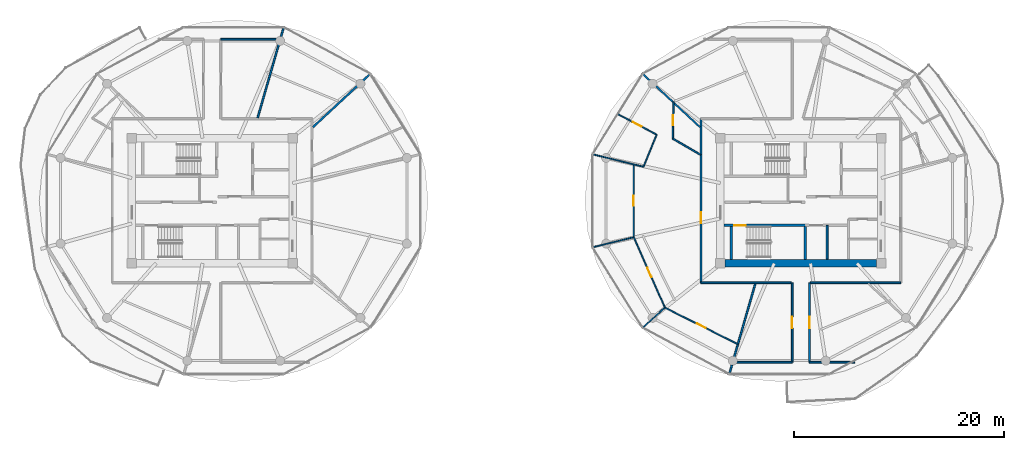
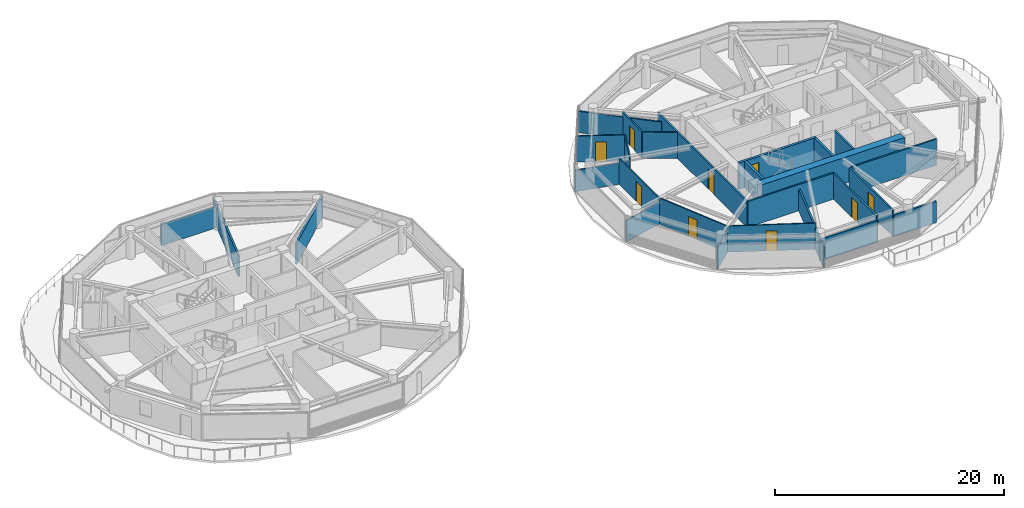
# One storey, part 15 of 23: 27 walls, 9 doors, 9 openings.
"""IFC4 building model written with IfcOpenShell, lengths in metres."""

from ifc_helpers import new_model, si_unit, direction, frame, frame_2d, origin, place, context, subcontext, project, spatial, rectangle, extrude, source, transform, mapped, material, layer, layer_set, type_object, type_shapes, element, fill, save


model = new_model("IFC4")

# Units and contexts
model_context = context("Model", 3, precision=1e-05, world=origin(), true_north=direction((0.0, 1.0)))
body_context = subcontext(model_context, "Body", "Model", "MODEL_VIEW")
ifc_project = project(units=[si_unit("LENGTHUNIT", "METRE"), si_unit("AREAUNIT", "SQUARE_METRE"), si_unit("VOLUMEUNIT", "CUBIC_METRE"), si_unit("PLANEANGLEUNIT", "RADIAN"), si_unit("MASSUNIT", "GRAM", prefix="KILO")], contexts=[model_context])

# Site, building, storey
site_placement = place(None, origin())
site = spatial("IfcSite", under=ifc_project, at=site_placement, CompositionType="ELEMENT")
building_placement = place(site_placement, origin())
building = spatial("IfcBuilding", under=site, at=building_placement, Name="Norrkilde Senior Care Towers", CompositionType="ELEMENT")
storey_placement = place(building_placement, frame((0.0, 0.0, 93.199951171875)))
storey = spatial("IfcBuildingStorey", under=building, at=storey_placement, Name="L28", CompositionType="ELEMENT", Elevation=93.199951171875)

# Walls
ifc_material_1 = material(Name="Concrete C60/75", Category="concrete")
ifc_layer_1 = layer(ifc_material_1, 0.719970703125)
ifc_layer_set_1 = layer_set([ifc_layer_1], Name="Concrete C60/75")
wall_type_1 = type_object("IfcWallType", Name="Core Shear Wall Z2 720", PredefinedType="SHEAR", material=ifc_layer_set_1)
shared_shape_1 = source(origin(), body_context, "Body", "SweptSolid", [
    extrude(rectangle(XDim=14.39990234375, YDim=0.719970703125, at=frame_2d((7.199951171875, 0.0))), origin(), (0.0, 0.0, 1.0), 2.7900390625),
])
type_shapes(wall_type_1, [shared_shape_1])
wall_1_placement = place(storey_placement, frame((35.199951171875, -5.949951171875, 0.0), z_axis=(0.0, 0.0, 1.0), x_axis=(-1.0, 0.0, 0.0)))
element("IfcWall", 1, at=wall_1_placement, inside=storey, type_object=wall_type_1, Name="L28 Core E South Shear Wall", PredefinedType="SHEAR", context=body_context, shape_type="MappedRepresentation", body=[
    mapped(shared_shape_1, transform((0.0, 0.0, 0.0), x_axis=(1.0, 0.0, 0.0), y_axis=(0.0, 1.0, 0.0), z_axis=(0.0, 0.0, 1.0), scale=1.0)),
])
ifc_material_2 = material(Name="Concrete C45/55", Category="concrete")
ifc_layer_2 = layer(ifc_material_2, 0.179931640625)
ifc_layer_set_2 = layer_set([ifc_layer_2], Name="Concrete C45/55")
wall_type_2 = type_object("IfcWallType", Name="Hoistway Division Rated Partition 180", PredefinedType="PARTITIONING", material=ifc_layer_set_2)
shared_shape_2 = source(origin(), body_context, "Body", "SweptSolid", [
    extrude(rectangle(XDim=3.219970703125, YDim=0.179931640625, at=frame_2d((1.60986328125, 0.0))), origin(), (0.0, 0.0, 1.0), 2.775146484375),
])
type_shapes(wall_type_2, [shared_shape_2])
wall_2_placement = place(storey_placement, frame((30.5, -5.550048828125, 0.0), z_axis=(0.0, 0.0, 1.0), x_axis=(0.0, 1.0, 0.0)))
element("IfcWall", 2, at=wall_2_placement, inside=storey, type_object=wall_type_2, Name="WL-INT-L28-E-PL34", PredefinedType="PARTITIONING", context=body_context, shape_type="MappedRepresentation", body=[
    mapped(shared_shape_2, transform((0.0, 0.0, 0.0), x_axis=(1.0, 0.0, 0.0), y_axis=(0.0, 1.0, 0.0), z_axis=(0.0, 0.0, 1.0), scale=1.0)),
])

# Wall, opening, door
ifc_material_3 = material(Name="Gypsum Acoustic Board")
ifc_layer_3 = layer(ifc_material_3, 0.1650390625)
ifc_layer_set_3 = layer_set([ifc_layer_3], Name="Gypsum Acoustic Board")
wall_type_3 = type_object("IfcWallType", Name="Corridor Rated Partition 165", PredefinedType="PARTITIONING", material=ifc_layer_set_3)
shared_shape_3 = source(origin(), body_context, "Body", "SweptSolid", [
    extrude(rectangle(XDim=15.60009765625, YDim=0.1650390625, at=frame_2d((7.800048828125, 0.0))), origin(), (0.0, 0.0, 1.0), 2.775146484375),
])
wall_3_placement = place(storey_placement, frame((18.5, -7.800048828125, 0.0), z_axis=(0.0, 0.0, 1.0), x_axis=(0.0, 1.0, 0.0)))
wall_3 = element("IfcWall", 3, at=wall_3_placement, inside=storey, type_object=wall_type_3, Name="WL-INT-L28-E-CRW-W-0", PredefinedType="PARTITIONING", context=body_context, shape_type="MappedRepresentation", body=[
    mapped(shared_shape_3, transform((0.0, 0.0, 0.0), x_axis=(1.0, 0.0, 0.0), y_axis=(0.0, 1.0, 0.0), z_axis=(0.0, 0.0, 1.0), scale=1.0)),
])
opening_1_placement = place(wall_3_placement, frame((5.672607421875, 0.0, 0.0)))
opening_1 = element("IfcOpeningElement", 4, at=opening_1_placement, cuts=wall_3, Name="Opening D-06", PredefinedType="OPENING", context=body_context, shape_type="SweptSolid", body=[
    extrude(rectangle(XDim=1.050048828125, YDim=2.14990234375, at=frame_2d((0.52490234375, 1.074951171875))), frame((0.0, 0.092529296875, 0.0), z_axis=(0.0, -1.0, 0.0), x_axis=(1.0, 0.0, 0.0)), (0.0, 0.0, 1.0), 0.18505859375),
])
ifc_material_4 = material(Name="Nordic Ash Timber", Category="wood")
door_type_1 = type_object("IfcDoorType", Name="Apartment Entrance Fire Door 1050x2150", OperationType="NOTDEFINED", PredefinedType="DOOR", material=ifc_material_4)
shared_shape_4 = source(origin(), body_context, "Body", "SweptSolid", [
    extrude(rectangle(XDim=1.050048828125, YDim=2.14990234375, at=frame_2d((0.52490234375, 1.074951171875))), frame((0.0, 0.02490234375, 0.0), z_axis=(0.0, -1.0, 0.0), x_axis=(1.0, 0.0, 0.0)), (0.0, 0.0, 1.0), 0.050048828125),
])
type_shapes(door_type_1, [shared_shape_4])
door_1_placement = place(opening_1_placement, frame((1.050048828125, 0.0, 0.0), z_axis=(0.0, 0.0, 1.0), x_axis=(-1.0, 0.0, 0.0)))
door_1 = element("IfcDoor", 5, at=door_1_placement, inside=storey, type_object=door_type_1, Name="Apartment 28A Entrance Door", OperationType="SINGLE_SWING_LEFT", OverallHeight=2.14990234375, OverallWidth=1.050048828125, PredefinedType="DOOR", context=body_context, shape_type="MappedRepresentation", body=[
    mapped(shared_shape_4, transform((0.0, 0.0, 0.0), x_axis=(1.0, 0.0, 0.0), y_axis=(0.0, 1.0, 0.0), z_axis=(0.0, 0.0, 1.0), scale=1.0)),
])
fill(opening_1, door_1)

ifc_layer_4 = layer(ifc_material_2, 0.239990234375)
ifc_layer_set_4 = layer_set([ifc_layer_4], Name="Concrete C45/55")
wall_type_4 = type_object("IfcWallType", Name="Shaft and Stair Enclosure Wall 240", PredefinedType="PARTITIONING", material=ifc_layer_set_4)
shared_shape_5 = source(origin(), body_context, "Body", "SweptSolid", [
    extrude(rectangle(XDim=7.830078125, YDim=0.239990234375, at=frame_2d((3.9150390625, 0.0))), origin(), (0.0, 0.0, 1.0), 2.7900390625),
])
wall_4_placement = place(storey_placement, frame((20.7099609375, -2.330078125, 0.0), z_axis=(0.0, 0.0, 1.0), x_axis=(1.0, 0.0, 0.0)))
wall_4 = element("IfcWall", 6, at=wall_4_placement, inside=storey, type_object=wall_type_4, Name="WL-INT-L28-E-ST2N", PredefinedType="PARTITIONING", context=body_context, shape_type="MappedRepresentation", body=[
    mapped(shared_shape_5, transform((0.0, 0.0, 0.0), x_axis=(1.0, 0.0, 0.0), y_axis=(0.0, 1.0, 0.0), z_axis=(0.0, 0.0, 1.0), scale=1.0)),
])
opening_2_placement = place(wall_4_placement, frame((0.949951171875, 0.0, 0.0)))
opening_2 = element("IfcOpeningElement", 7, at=opening_2_placement, cuts=wall_4, Name="Opening D-03", PredefinedType="OPENING", context=body_context, shape_type="SweptSolid", body=[
    extrude(rectangle(XDim=1.10009765625, YDim=2.14990234375, at=frame_2d((0.550048828125, 1.074951171875))), frame((0.0, 0.1298828125, 0.0), z_axis=(0.0, -1.0, 0.0), x_axis=(1.0, 0.0, 0.0)), (0.0, 0.0, 1.0), 0.260009765625),
])
ifc_material_5 = material(Name="Galvanised Painted Steel", Category="steel")
door_type_2 = type_object("IfcDoorType", Name="Stairwell Protected Fire Door 1100x2150", OperationType="NOTDEFINED", PredefinedType="DOOR", material=ifc_material_5)
shared_shape_6 = source(origin(), body_context, "Body", "SweptSolid", [
    extrude(rectangle(XDim=1.10009765625, YDim=2.14990234375, at=frame_2d((0.550048828125, 1.074951171875))), frame((0.0, 0.02490234375, 0.0), z_axis=(0.0, -1.0, 0.0), x_axis=(1.0, 0.0, 0.0)), (0.0, 0.0, 1.0), 0.050048828125),
])
type_shapes(door_type_2, [shared_shape_6])
door_2_placement = place(opening_2_placement, frame((1.10009765625, 0.0, 0.0), z_axis=(0.0, 0.0, 1.0), x_axis=(-1.0, 0.0, 0.0)))
door_2 = element("IfcDoor", 8, at=door_2_placement, inside=storey, type_object=door_type_2, Name="L28 Stair E2 Fire Door", OperationType="SINGLE_SWING_RIGHT", OverallHeight=2.14990234375, OverallWidth=1.10009765625, PredefinedType="DOOR", context=body_context, shape_type="MappedRepresentation", body=[
    mapped(shared_shape_6, transform((0.0, 0.0, 0.0), x_axis=(1.0, 0.0, 0.0), y_axis=(0.0, 1.0, 0.0), z_axis=(0.0, 0.0, 1.0), scale=1.0)),
])
fill(opening_2, door_2)

# Walls
shared_shape_7 = source(origin(), body_context, "Body", "SweptSolid", [
    extrude(rectangle(XDim=3.14013671875, YDim=0.239990234375, at=frame_2d((1.570068359375, 0.0))), origin(), (0.0, 0.0, 1.0), 2.7900390625),
])
type_shapes(wall_type_4, [shared_shape_5, shared_shape_7])
for number, where, z_axis, x_axis, name in (
    (9, (21.3798828125, -5.590087890625, 0.0), (0.0, 0.0, 1.0), (0.0, 1.0, 0.0), "WL-INT-L28-E-ST2W"),
    (10, (28.419921875, -5.590087890625, 0.0), (0.0, 0.0, 1.0), (0.0, 1.0, 0.0), "WL-INT-L28-E-ST2E"),
):
    element("IfcWall", number, at=place(storey_placement, frame(where, z_axis=z_axis, x_axis=x_axis)), inside=storey, type_object=wall_type_4, Name=name, PredefinedType="PARTITIONING", context=body_context, shape_type="MappedRepresentation", body=[
        mapped(shared_shape_7, transform((0.0, 0.0, 0.0), x_axis=(1.0, 0.0, 0.0), y_axis=(0.0, 1.0, 0.0), z_axis=(0.0, 0.0, 1.0), scale=1.0)),
    ])
ifc_layer_5 = layer(ifc_material_3, 0.18994140625)
ifc_layer_set_5 = layer_set([ifc_layer_5], Name="Gypsum Acoustic Board")
wall_type_5 = type_object("IfcWallType", Name="Unit Demising Acoustic Wall 190", PredefinedType="PARTITIONING", material=ifc_layer_set_5)
shared_shape_8 = source(origin(), body_context, "Body", "SweptSolid", [
    extrude(rectangle(XDim=7.482177734375, YDim=0.18994140625, at=frame_2d((3.7412109375, 0.0))), origin(), (0.0, 0.0, 1.0), 2.275146484375),
])
type_shapes(wall_type_5, [shared_shape_8])
wall_5_placement = place(storey_placement, frame((-18.419921875, 6.998046875, 0.0), z_axis=(0.0, 0.0, 1.0), x_axis=(0.732508698043, 0.680757671489, 0.0)))
element("IfcWall", 11, at=wall_5_placement, inside=storey, type_object=wall_type_5, Name="WL-INT-L28-W-DEM-01-0", PredefinedType="PARTITIONING", context=body_context, shape_type="MappedRepresentation", body=[
    mapped(shared_shape_8, transform((0.0, 0.0, 0.0), x_axis=(1.0, 0.0, 0.0), y_axis=(0.0, 1.0, 0.0), z_axis=(0.0, 0.0, 1.0), scale=1.0)),
])
shared_shape_9 = source(origin(), body_context, "Body", "SweptSolid", [
    extrude(rectangle(XDim=8.60009765625, YDim=0.1650390625, at=frame_2d((4.300048828125, 0.0))), origin(), (0.0, 0.0, 1.0), 2.775146484375),
])
for number, where, z_axis, x_axis, name in (
    (12, (37.5, -7.800048828125, 0.0), (0.0, 0.0, 1.0), (-1.0, 0.0, 0.0), "WL-INT-L28-E-CRW-S-0"),
    (13, (27.10009765625, -7.800048828125, 0.0), (0.0, 0.0, 1.0), (-1.0, 0.0, 0.0), "WL-INT-L28-E-CRW-S-1"),
):
    element("IfcWall", number, at=place(storey_placement, frame(where, z_axis=z_axis, x_axis=x_axis)), inside=storey, type_object=wall_type_3, Name=name, PredefinedType="PARTITIONING", context=body_context, shape_type="MappedRepresentation", body=[
        mapped(shared_shape_9, transform((0.0, 0.0, 0.0), x_axis=(1.0, 0.0, 0.0), y_axis=(0.0, 1.0, 0.0), z_axis=(0.0, 0.0, 1.0), scale=1.0)),
    ])
shared_shape_10 = source(origin(), body_context, "Body", "SweptSolid", [
    extrude(rectangle(XDim=8.9892578125, YDim=0.1650390625, at=frame_2d((4.49462890625, 0.0))), origin(), (0.0, 0.0, 1.0), 2.275146484375),
])
for number, where, z_axis, x_axis, name in (
    (14, (-23.677978515625, 7.8798828125, 0.0), (0.0, 0.0, 1.0), (0.27702323008, 0.960863221274, 0.0), "WL-INT-L28-W-DEM-02-0"),
    (15, (23.677978515625, -7.8798828125, 0.0), (0.0, 0.0, 1.0), (-0.27702323008, -0.960863221274, 0.0), "WL-INT-L28-E-DEM-08-0"),
):
    element("IfcWall", number, at=place(storey_placement, frame(where, z_axis=z_axis, x_axis=x_axis)), inside=storey, type_object=wall_type_3, Name=name, PredefinedType="PARTITIONING", context=body_context, shape_type="MappedRepresentation", body=[
        mapped(shared_shape_10, transform((0.0, 0.0, 0.0), x_axis=(1.0, 0.0, 0.0), y_axis=(0.0, 1.0, 0.0), z_axis=(0.0, 0.0, 1.0), scale=1.0)),
    ])
shared_shape_11 = source(origin(), body_context, "Body", "SweptSolid", [
    extrude(rectangle(XDim=7.482177734375, YDim=0.1650390625, at=frame_2d((3.7412109375, 0.0))), origin(), (0.0, 0.0, 1.0), 2.275146484375),
])
wall_6_placement = place(storey_placement, frame((18.419921875, 6.998046875, 0.0), z_axis=(0.0, 0.0, 1.0), x_axis=(-0.732508698043, 0.680757671489, 0.0)))
element("IfcWall", 16, at=wall_6_placement, inside=storey, type_object=wall_type_3, Name="WL-INT-L28-E-DEM-04-0", PredefinedType="PARTITIONING", context=body_context, shape_type="MappedRepresentation", body=[
    mapped(shared_shape_11, transform((0.0, 0.0, 0.0), x_axis=(1.0, 0.0, 0.0), y_axis=(0.0, 1.0, 0.0), z_axis=(0.0, 0.0, 1.0), scale=1.0)),
])

# Wall, opening, door
shared_shape_12 = source(origin(), body_context, "Body", "SweptSolid", [
    extrude(rectangle(XDim=7.56005859375, YDim=0.1650390625, at=frame_2d((3.780029296875, 0.0))), origin(), (0.0, 0.0, 1.0), 2.775146484375),
])
wall_7_placement = place(storey_placement, frame((27.179931640625, -15.360107421875, 0.0), z_axis=(0.0, 0.0, 1.0), x_axis=(0.0, 1.0, 0.0)))
wall_7 = element("IfcWall", 17, at=wall_7_placement, inside=storey, type_object=wall_type_3, Name="WL-INT-L28-E-PKW-SWL", PredefinedType="PARTITIONING", context=body_context, shape_type="MappedRepresentation", body=[
    mapped(shared_shape_12, transform((0.0, 0.0, 0.0), x_axis=(1.0, 0.0, 0.0), y_axis=(0.0, 1.0, 0.0), z_axis=(0.0, 0.0, 1.0), scale=1.0)),
])
opening_3_placement = place(wall_7_placement, frame((3.2548828125, 0.0, 0.0)))
opening_3 = element("IfcOpeningElement", 18, at=opening_3_placement, cuts=wall_7, Name="Opening D-06", PredefinedType="OPENING", context=body_context, shape_type="SweptSolid", body=[
    extrude(rectangle(XDim=1.050048828125, YDim=2.14990234375, at=frame_2d((0.52490234375, 1.074951171875))), frame((0.0, 0.092529296875, 0.0), z_axis=(0.0, -1.0, 0.0), x_axis=(1.0, 0.0, 0.0)), (0.0, 0.0, 1.0), 0.18505859375),
])
door_3_placement = place(opening_3_placement, frame((1.050048828125, 0.0, 0.0), z_axis=(0.0, 0.0, 1.0), x_axis=(-1.0, 0.0, 0.0)))
door_3 = element("IfcDoor", 19, at=door_3_placement, inside=storey, type_object=door_type_1, Name="L28 Reading Lounge SWL Door", OperationType="SINGLE_SWING_RIGHT", OverallHeight=2.14990234375, OverallWidth=1.050048828125, PredefinedType="DOOR", context=body_context, shape_type="MappedRepresentation", body=[
    mapped(shared_shape_4, transform((0.0, 0.0, 0.0), x_axis=(1.0, 0.0, 0.0), y_axis=(0.0, 1.0, 0.0), z_axis=(0.0, 0.0, 1.0), scale=1.0)),
])
fill(opening_3, door_3)

wall_8_placement = place(storey_placement, frame((28.820068359375, -15.360107421875, 0.0), z_axis=(0.0, 0.0, 1.0), x_axis=(0.0, 1.0, 0.0)))
wall_8 = element("IfcWall", 20, at=wall_8_placement, inside=storey, type_object=wall_type_3, Name="WL-INT-L28-E-PKW-SEL", PredefinedType="PARTITIONING", context=body_context, shape_type="MappedRepresentation", body=[
    mapped(shared_shape_12, transform((0.0, 0.0, 0.0), x_axis=(1.0, 0.0, 0.0), y_axis=(0.0, 1.0, 0.0), z_axis=(0.0, 0.0, 1.0), scale=1.0)),
])
opening_4_placement = place(wall_8_placement, frame((3.2548828125, 0.0, 0.0)))
opening_4 = element("IfcOpeningElement", 21, at=opening_4_placement, cuts=wall_8, Name="Opening D-06", PredefinedType="OPENING", context=body_context, shape_type="SweptSolid", body=[
    extrude(rectangle(XDim=1.050048828125, YDim=2.14990234375, at=frame_2d((0.52490234375, 1.074951171875))), frame((0.0, 0.092529296875, 0.0), z_axis=(0.0, -1.0, 0.0), x_axis=(1.0, 0.0, 0.0)), (0.0, 0.0, 1.0), 0.18505859375),
])
door_4_placement = place(opening_4_placement, frame((1.050048828125, 0.0, 0.0), z_axis=(0.0, 0.0, 1.0), x_axis=(-1.0, 0.0, 0.0)))
door_4 = element("IfcDoor", 22, at=door_4_placement, inside=storey, type_object=door_type_1, Name="L28 Reading Lounge SEL Door", OperationType="SINGLE_SWING_RIGHT", OverallHeight=2.14990234375, OverallWidth=1.050048828125, PredefinedType="DOOR", context=body_context, shape_type="MappedRepresentation", body=[
    mapped(shared_shape_4, transform((0.0, 0.0, 0.0), x_axis=(1.0, 0.0, 0.0), y_axis=(0.0, 1.0, 0.0), z_axis=(0.0, 0.0, 1.0), scale=1.0)),
])
fill(opening_4, door_4)

# Walls
shared_shape_13 = source(origin(), body_context, "Body", "SweptSolid", [
    extrude(rectangle(XDim=4.306884765625, YDim=0.1650390625, at=frame_2d((2.1533203125, 0.0))), origin(), (0.0, 0.0, 1.0), 2.275146484375),
])
wall_9_placement = place(storey_placement, frame((28.820068359375, -15.360107421875, 0.0), z_axis=(0.0, 0.0, 1.0), x_axis=(1.0, 0.0, 0.0)))
element("IfcWall", 23, at=wall_9_placement, inside=storey, type_object=wall_type_3, Name="WL-INT-L28-E-PKH-SEL-0", PredefinedType="PARTITIONING", context=body_context, shape_type="MappedRepresentation", body=[
    mapped(shared_shape_13, transform((0.0, 0.0, 0.0), x_axis=(1.0, 0.0, 0.0), y_axis=(0.0, 1.0, 0.0), z_axis=(0.0, 0.0, 1.0), scale=1.0)),
])
shared_shape_14 = source(origin(), body_context, "Body", "SweptSolid", [
    extrude(rectangle(XDim=5.81396484375, YDim=0.1650390625, at=frame_2d((2.906982421875, 0.0))), origin(), (0.0, 0.0, 1.0), 2.275146484375),
])
type_shapes(wall_type_3, [shared_shape_3, shared_shape_9, shared_shape_10, shared_shape_11, shared_shape_12, shared_shape_13, shared_shape_14])
for number, where, z_axis, x_axis, name in (
    (24, (-27.179931640625, 15.360107421875, 0.0), (0.0, 0.0, 1.0), (1.0, 0.0, 0.0), "WL-INT-L28-W-PKH-NEL-0"),
    (25, (21.365966796875, -15.360107421875, 0.0), (0.0, 0.0, 1.0), (1.0, 0.0, 0.0), "WL-INT-L28-E-PKH-SWL-0"),
):
    element("IfcWall", number, at=place(storey_placement, frame(where, z_axis=z_axis, x_axis=x_axis)), inside=storey, type_object=wall_type_3, Name=name, PredefinedType="PARTITIONING", context=body_context, shape_type="MappedRepresentation", body=[
        mapped(shared_shape_14, transform((0.0, 0.0, 0.0), x_axis=(1.0, 0.0, 0.0), y_axis=(0.0, 1.0, 0.0), z_axis=(0.0, 0.0, 1.0), scale=1.0)),
    ])

# Wall, opening, door
ifc_layer_6 = layer(ifc_material_3, 0.114990234375)
ifc_layer_set_6 = layer_set([ifc_layer_6], Name="Gypsum Acoustic Board")
wall_type_6 = type_object("IfcWallType", Name="Internal Room Partition 115", PredefinedType="PARTITIONING", material=ifc_layer_set_6)
shared_shape_15 = source(origin(), body_context, "Body", "SweptSolid", [
    extrude(rectangle(XDim=6.93505859375, YDim=0.114990234375, at=frame_2d((3.467529296875, 0.0))), origin(), (0.0, 0.0, 1.0), 2.775146484375),
])
wall_10_placement = place(storey_placement, frame((12.10107421875, 3.467529296875, 0.0), z_axis=(0.0, 0.0, 1.0), x_axis=(0.0, -1.0, 0.0)))
wall_10 = element("IfcWall", 26, at=wall_10_placement, inside=storey, type_object=wall_type_6, Name="WL-INT-L28-E-UBC-04-1", PredefinedType="PARTITIONING", context=body_context, shape_type="MappedRepresentation", body=[
    mapped(shared_shape_15, transform((0.0, 0.0, 0.0), x_axis=(1.0, 0.0, 0.0), y_axis=(0.0, 1.0, 0.0), z_axis=(0.0, 0.0, 1.0), scale=1.0)),
])
opening_5_placement = place(wall_10_placement, frame((2.99267578125, 0.0, 0.0)))
opening_5 = element("IfcOpeningElement", 27, at=opening_5_placement, cuts=wall_10, Name="Opening D-07", PredefinedType="OPENING", context=body_context, shape_type="SweptSolid", body=[
    extrude(rectangle(XDim=0.949951171875, YDim=2.10009765625, at=frame_2d((0.47509765625, 1.050048828125))), frame((0.0, 0.0673828125, 0.0), z_axis=(0.0, -1.0, 0.0), x_axis=(1.0, 0.0, 0.0)), (0.0, 0.0, 1.0), 0.135009765625),
])
door_type_3 = type_object("IfcDoorType", Name="Internal Suite Bedroom Door 950x2100", OperationType="NOTDEFINED", PredefinedType="DOOR", material=ifc_material_4)
shared_shape_16 = source(origin(), body_context, "Body", "SweptSolid", [
    extrude(rectangle(XDim=0.949951171875, YDim=2.10009765625, at=frame_2d((0.47509765625, 1.050048828125))), frame((0.0, 0.02490234375, 0.0), z_axis=(0.0, -1.0, 0.0), x_axis=(1.0, 0.0, 0.0)), (0.0, 0.0, 1.0), 0.050048828125),
])
type_shapes(door_type_3, [shared_shape_16])
door_5_placement = place(opening_5_placement, origin())
door_5 = element("IfcDoor", 28, at=door_5_placement, inside=storey, type_object=door_type_3, Name="Apartment 28A Bedroom 1 Door", OperationType="SINGLE_SWING_RIGHT", OverallHeight=2.10009765625, OverallWidth=0.949951171875, PredefinedType="DOOR", context=body_context, shape_type="MappedRepresentation", body=[
    mapped(shared_shape_16, transform((0.0, 0.0, 0.0), x_axis=(1.0, 0.0, 0.0), y_axis=(0.0, 1.0, 0.0), z_axis=(0.0, 0.0, 1.0), scale=1.0)),
])
fill(opening_5, door_5)

# Wall
shared_shape_17 = source(origin(), body_context, "Body", "SweptSolid", [
    extrude(rectangle(XDim=4.992431640625, YDim=0.114990234375, at=frame_2d((2.49609375, 0.0))), origin(), (0.0, 0.0, 1.0), 2.275146484375),
])
wall_11_placement = place(storey_placement, frame((13.025634765625, 3.236083984375, 0.0), z_axis=(0.0, 0.0, 1.0), x_axis=(-0.971191841847, 0.238298985162, 0.0)))
element("IfcWall", 29, at=wall_11_placement, inside=storey, type_object=wall_type_6, Name="WL-INT-L28-E-UBR-04-1", PredefinedType="PARTITIONING", context=body_context, shape_type="MappedRepresentation", body=[
    mapped(shared_shape_17, transform((0.0, 0.0, 0.0), x_axis=(1.0, 0.0, 0.0), y_axis=(0.0, 1.0, 0.0), z_axis=(0.0, 0.0, 1.0), scale=1.0)),
])

# Wall, opening, door
shared_shape_18 = source(origin(), body_context, "Body", "SweptSolid", [
    extrude(rectangle(XDim=7.326171875, YDim=0.114990234375, at=frame_2d((3.6630859375, 0.0))), origin(), (0.0, 0.0, 1.0), 2.775146484375),
])
wall_12_placement = place(storey_placement, frame((12.103515625, -3.467041015625, 0.0), z_axis=(0.0, 0.0, 1.0), x_axis=(0.405263245425, -0.914200033859, 0.0)))
wall_12 = element("IfcWall", 30, at=wall_12_placement, inside=storey, type_object=wall_type_6, Name="WL-INT-L28-E-UBC-04-2", PredefinedType="PARTITIONING", context=body_context, shape_type="MappedRepresentation", body=[
    mapped(shared_shape_18, transform((0.0, 0.0, 0.0), x_axis=(1.0, 0.0, 0.0), y_axis=(0.0, 1.0, 0.0), z_axis=(0.0, 0.0, 1.0), scale=1.0)),
])
opening_6_placement = place(wall_12_placement, frame((3.18798828125, 0.0, 0.0)))
opening_6 = element("IfcOpeningElement", 31, at=opening_6_placement, cuts=wall_12, Name="Opening D-07", PredefinedType="OPENING", context=body_context, shape_type="SweptSolid", body=[
    extrude(rectangle(XDim=0.949951171875, YDim=2.10009765625, at=frame_2d((0.47509765625, 1.050048828125))), frame((0.0, 0.0673828125, 0.0), z_axis=(0.0, -1.0, 0.0), x_axis=(1.0, 0.0, 0.0)), (0.0, 0.0, 1.0), 0.135009765625),
])
door_6_placement = place(opening_6_placement, frame((0.949951171875, 0.0, 0.0), z_axis=(0.0, 0.0, 1.0), x_axis=(-1.0, 0.0, 0.0)))
door_6 = element("IfcDoor", 32, at=door_6_placement, inside=storey, type_object=door_type_3, Name="Apartment 28A Bedroom 2 Door", OperationType="SINGLE_SWING_LEFT", OverallHeight=2.10009765625, OverallWidth=0.949951171875, PredefinedType="DOOR", context=body_context, shape_type="MappedRepresentation", body=[
    mapped(shared_shape_16, transform((0.0, 0.0, 0.0), x_axis=(1.0, 0.0, 0.0), y_axis=(0.0, 1.0, 0.0), z_axis=(0.0, 0.0, 1.0), scale=1.0)),
])
fill(opening_6, door_6)

# Wall
shared_shape_19 = source(origin(), body_context, "Body", "SweptSolid", [
    extrude(rectangle(XDim=4.041748046875, YDim=0.114990234375, at=frame_2d((2.02099609375, 0.0))), origin(), (0.0, 0.0, 1.0), 2.275146484375),
])
wall_13_placement = place(storey_placement, frame((12.103515625, -3.467041015625, 0.0), z_axis=(0.0, 0.0, 1.0), x_axis=(-0.971460277747, -0.237202295014, 0.0)))
element("IfcWall", 33, at=wall_13_placement, inside=storey, type_object=wall_type_6, Name="WL-INT-L28-E-UBR-04-2", PredefinedType="PARTITIONING", context=body_context, shape_type="MappedRepresentation", body=[
    mapped(shared_shape_19, transform((0.0, 0.0, 0.0), x_axis=(1.0, 0.0, 0.0), y_axis=(0.0, 1.0, 0.0), z_axis=(0.0, 0.0, 1.0), scale=1.0)),
])

# Wall, opening, door
shared_shape_20 = source(origin(), body_context, "Body", "SweptSolid", [
    extrude(rectangle(XDim=7.76708984375, YDim=0.114990234375, at=frame_2d((3.883544921875, 0.0))), origin(), (0.0, 0.0, 1.0), 2.775146484375),
])
wall_14_placement = place(storey_placement, frame((15.069580078125, -10.16748046875, 0.0), z_axis=(0.0, 0.0, 1.0), x_axis=(0.894188177352, -0.447691303783, 0.0)))
wall_14 = element("IfcWall", 34, at=wall_14_placement, inside=storey, type_object=wall_type_6, Name="WL-INT-L28-E-UBC-04-3", PredefinedType="PARTITIONING", context=body_context, shape_type="MappedRepresentation", body=[
    mapped(shared_shape_20, transform((0.0, 0.0, 0.0), x_axis=(1.0, 0.0, 0.0), y_axis=(0.0, 1.0, 0.0), z_axis=(0.0, 0.0, 1.0), scale=1.0)),
])
opening_7_placement = place(wall_14_placement, frame((3.40869140625, 0.0, 0.0)))
opening_7 = element("IfcOpeningElement", 35, at=opening_7_placement, cuts=wall_14, Name="Opening D-07", PredefinedType="OPENING", context=body_context, shape_type="SweptSolid", body=[
    extrude(rectangle(XDim=0.949951171875, YDim=2.10009765625, at=frame_2d((0.47509765625, 1.050048828125))), frame((0.0, 0.0673828125, 0.0), z_axis=(0.0, -1.0, 0.0), x_axis=(1.0, 0.0, 0.0)), (0.0, 0.0, 1.0), 0.135009765625),
])
door_7_placement = place(opening_7_placement, origin())
door_7 = element("IfcDoor", 36, at=door_7_placement, inside=storey, type_object=door_type_3, Name="Apartment 28A Bedroom 3 Door", OperationType="SINGLE_SWING_RIGHT", OverallHeight=2.10009765625, OverallWidth=0.949951171875, PredefinedType="DOOR", context=body_context, shape_type="MappedRepresentation", body=[
    mapped(shared_shape_16, transform((0.0, 0.0, 0.0), x_axis=(1.0, 0.0, 0.0), y_axis=(0.0, 1.0, 0.0), z_axis=(0.0, 0.0, 1.0), scale=1.0)),
])
fill(opening_7, door_7)

# Walls
shared_shape_21 = source(origin(), body_context, "Body", "SweptSolid", [
    extrude(rectangle(XDim=2.87060546875, YDim=0.114990234375, at=frame_2d((1.435302734375, 0.0))), origin(), (0.0, 0.0, 1.0), 2.275146484375),
])
wall_15_placement = place(storey_placement, frame((15.069580078125, -10.16748046875, 0.0), z_axis=(0.0, 0.0, 1.0), x_axis=(-0.742125841552, -0.670260572688, 0.0)))
element("IfcWall", 37, at=wall_15_placement, inside=storey, type_object=wall_type_6, Name="WL-INT-L28-E-UBR-04-3", PredefinedType="PARTITIONING", context=body_context, shape_type="MappedRepresentation", body=[
    mapped(shared_shape_21, transform((0.0, 0.0, 0.0), x_axis=(1.0, 0.0, 0.0), y_axis=(0.0, 1.0, 0.0), z_axis=(0.0, 0.0, 1.0), scale=1.0)),
])
ifc_layer_7 = layer(ifc_material_3, 0.139892578125)
ifc_layer_set_7 = layer_set([ifc_layer_7], Name="Gypsum Acoustic Board")
wall_type_7 = type_object("IfcWallType", Name="En-suite Wet Room Wall 140", PredefinedType="PARTITIONING", material=ifc_layer_set_7)
shared_shape_22 = source(origin(), body_context, "Body", "SweptSolid", [
    extrude(rectangle(XDim=3.0693359375, YDim=0.139892578125, at=frame_2d((1.53466796875, 0.0))), origin(), (0.0, 0.0, 1.0), 2.775146484375),
])
wall_16_placement = place(storey_placement, frame((18.469970703125, 4.36767578125, 0.0), z_axis=(0.0, 0.0, 1.0), x_axis=(-0.863524911282, 0.504306184371, 0.0)))
element("IfcWall", 38, at=wall_16_placement, inside=storey, type_object=wall_type_7, Name="WL-INT-L28-E-UBTS-04", PredefinedType="PARTITIONING", context=body_context, shape_type="MappedRepresentation", body=[
    mapped(shared_shape_22, transform((0.0, 0.0, 0.0), x_axis=(1.0, 0.0, 0.0), y_axis=(0.0, 1.0, 0.0), z_axis=(0.0, 0.0, 1.0), scale=1.0)),
])

# Wall, opening, door
shared_shape_23 = source(origin(), body_context, "Body", "SweptSolid", [
    extrude(rectangle(XDim=3.486572265625, YDim=0.139892578125, at=frame_2d((1.7431640625, 0.0))), origin(), (0.0, 0.0, 1.0), 2.775146484375),
])
type_shapes(wall_type_7, [shared_shape_22, shared_shape_23])
wall_17_placement = place(storey_placement, frame((15.819580078125, 5.91552734375, 0.0), z_axis=(0.0, 0.0, 1.0), x_axis=(0.020026799331, 0.999799443543, 0.0)))
wall_17 = element("IfcWall", 39, at=wall_17_placement, inside=storey, type_object=wall_type_7, Name="WL-INT-L28-E-UBTF-04", PredefinedType="PARTITIONING", context=body_context, shape_type="MappedRepresentation", body=[
    mapped(shared_shape_23, transform((0.0, 0.0, 0.0), x_axis=(1.0, 0.0, 0.0), y_axis=(0.0, 1.0, 0.0), z_axis=(0.0, 0.0, 1.0), scale=1.0)),
])
opening_8_placement = place(wall_17_placement, frame((1.283447265625, 0.0, 0.0)))
opening_8 = element("IfcOpeningElement", 40, at=opening_8_placement, cuts=wall_17, Name="Opening D-08", PredefinedType="OPENING", context=body_context, shape_type="SweptSolid", body=[
    extrude(rectangle(XDim=0.919921875, YDim=2.10009765625, at=frame_2d((0.4599609375, 1.050048828125))), frame((0.0, 0.079833984375, 0.0), z_axis=(0.0, -1.0, 0.0), x_axis=(1.0, 0.0, 0.0)), (0.0, 0.0, 1.0), 0.159912109375),
])
door_type_4 = type_object("IfcDoorType", Name="Accessible Wet Room Door 920x2100", OperationType="NOTDEFINED", PredefinedType="DOOR", material=ifc_material_4)
shared_shape_24 = source(origin(), body_context, "Body", "SweptSolid", [
    extrude(rectangle(XDim=0.919921875, YDim=2.10009765625, at=frame_2d((0.4599609375, 1.050048828125))), frame((0.0, 0.02490234375, 0.0), z_axis=(0.0, -1.0, 0.0), x_axis=(1.0, 0.0, 0.0)), (0.0, 0.0, 1.0), 0.050048828125),
])
type_shapes(door_type_4, [shared_shape_24])
door_8_placement = place(opening_8_placement, origin())
door_8 = element("IfcDoor", 41, at=door_8_placement, inside=storey, type_object=door_type_4, Name="Apartment 28A Bathroom Door", OperationType="SINGLE_SWING_RIGHT", OverallHeight=2.10009765625, OverallWidth=0.919921875, PredefinedType="DOOR", context=body_context, shape_type="MappedRepresentation", body=[
    mapped(shared_shape_24, transform((0.0, 0.0, 0.0), x_axis=(1.0, 0.0, 0.0), y_axis=(0.0, 1.0, 0.0), z_axis=(0.0, 0.0, 1.0), scale=1.0)),
])
fill(opening_8, door_8)

shared_shape_25 = source(origin(), body_context, "Body", "SweptSolid", [
    extrude(rectangle(XDim=4.220703125, YDim=0.114990234375, at=frame_2d((2.1103515625, 0.0))), origin(), (0.0, 0.0, 1.0), 2.775146484375),
])
wall_18_placement = place(storey_placement, frame((14.291748046875, 6.2900390625, 0.0), z_axis=(0.0, 0.0, 1.0), x_axis=(-0.88458298465, 0.466382829087, 0.0)))
wall_18 = element("IfcWall", 42, at=wall_18_placement, inside=storey, type_object=wall_type_6, Name="WL-INT-L28-E-UKTS-04", PredefinedType="PARTITIONING", context=body_context, shape_type="MappedRepresentation", body=[
    mapped(shared_shape_25, transform((0.0, 0.0, 0.0), x_axis=(1.0, 0.0, 0.0), y_axis=(0.0, 1.0, 0.0), z_axis=(0.0, 0.0, 1.0), scale=1.0)),
])
opening_9_placement = place(wall_18_placement, frame((1.635498046875, 0.0, 0.0)))
opening_9 = element("IfcOpeningElement", 43, at=opening_9_placement, cuts=wall_18, Name="Opening D-07", PredefinedType="OPENING", context=body_context, shape_type="SweptSolid", body=[
    extrude(rectangle(XDim=0.949951171875, YDim=2.10009765625, at=frame_2d((0.47509765625, 1.050048828125))), frame((0.0, 0.0673828125, 0.0), z_axis=(0.0, -1.0, 0.0), x_axis=(1.0, 0.0, 0.0)), (0.0, 0.0, 1.0), 0.135009765625),
])
door_9_placement = place(opening_9_placement, frame((0.949951171875, 0.0, 0.0), z_axis=(0.0, 0.0, 1.0), x_axis=(-1.0, 0.0, 0.0)))
door_9 = element("IfcDoor", 44, at=door_9_placement, inside=storey, type_object=door_type_3, Name="Apartment 28A Kitchen Door", OperationType="SINGLE_SWING_LEFT", OverallHeight=2.10009765625, OverallWidth=0.949951171875, PredefinedType="DOOR", context=body_context, shape_type="MappedRepresentation", body=[
    mapped(shared_shape_16, transform((0.0, 0.0, 0.0), x_axis=(1.0, 0.0, 0.0), y_axis=(0.0, 1.0, 0.0), z_axis=(0.0, 0.0, 1.0), scale=1.0)),
])
fill(opening_9, door_9)

# Wall
shared_shape_26 = source(origin(), body_context, "Body", "SweptSolid", [
    extrude(rectangle(XDim=3.3056640625, YDim=0.114990234375, at=frame_2d((1.65283203125, 0.0))), origin(), (0.0, 0.0, 1.0), 2.775146484375),
])
type_shapes(wall_type_6, [shared_shape_15, shared_shape_17, shared_shape_18, shared_shape_19, shared_shape_20, shared_shape_21, shared_shape_25, shared_shape_26])
wall_19_placement = place(storey_placement, frame((14.291748046875, 6.2900390625, 0.0), z_axis=(0.0, 0.0, 1.0), x_axis=(-0.382506175075, -0.923952934965, 0.0)))
element("IfcWall", 45, at=wall_19_placement, inside=storey, type_object=wall_type_6, Name="WL-INT-L28-E-UKTF-04", PredefinedType="PARTITIONING", context=body_context, shape_type="MappedRepresentation", body=[
    mapped(shared_shape_26, transform((0.0, 0.0, 0.0), x_axis=(1.0, 0.0, 0.0), y_axis=(0.0, 1.0, 0.0), z_axis=(0.0, 0.0, 1.0), scale=1.0)),
])

save(model, "model.ifc")
